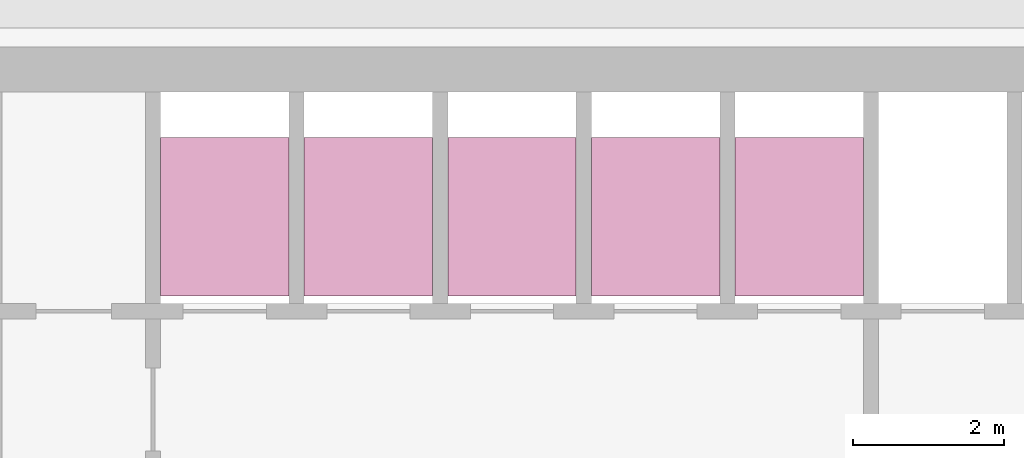
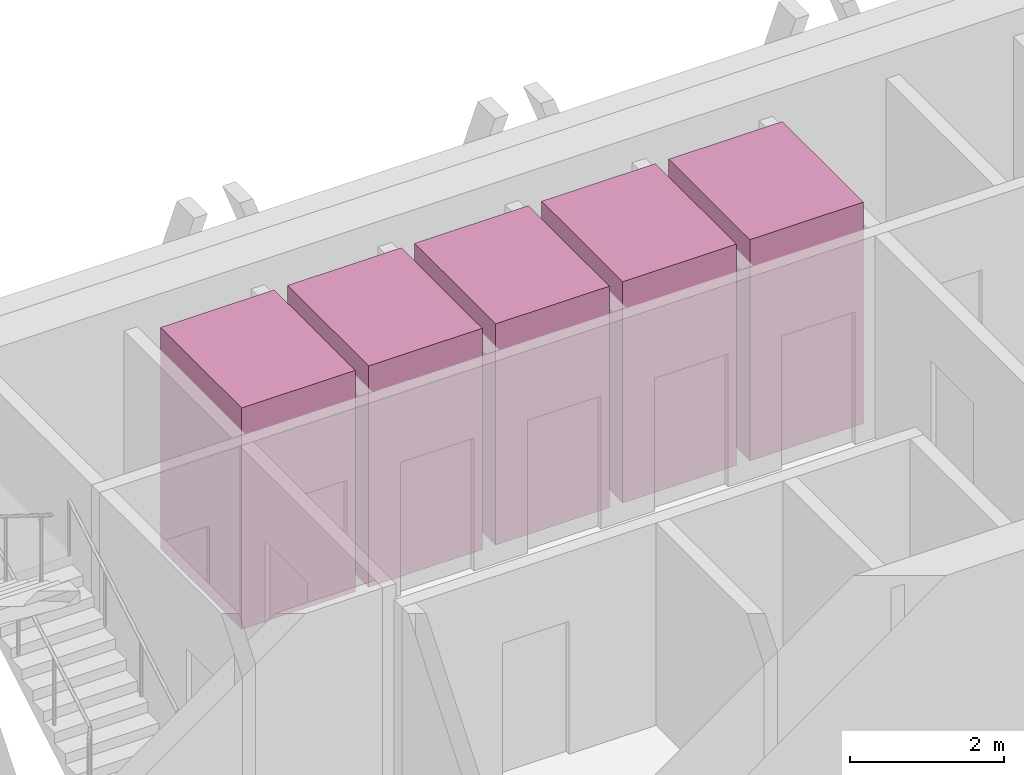
# One storey, part 14 of 14: 5 transport elements.
"""IFC4 building model written with IfcOpenShell, lengths in metres."""

from ifc_helpers import new_model, si_unit, direction, frame, origin, origin_2d, place, context, subcontext, project, spatial, rectangle, extrude, material, type_object, element, save


model = new_model("IFC4")

# Units and contexts
model_context = context("Model", 3, precision=1e-05, world=origin(), true_north=direction((0.0, 1.0)))
body_context = subcontext(model_context, "Body", "Model", "MODEL_VIEW")
ifc_project = project(units=[si_unit("LENGTHUNIT", "METRE"), si_unit("AREAUNIT", "SQUARE_METRE"), si_unit("VOLUMEUNIT", "CUBIC_METRE"), si_unit("PLANEANGLEUNIT", "RADIAN"), si_unit("MASSUNIT", "GRAM", prefix="KILO")], contexts=[model_context])

# Site, building, storey
site_placement = place(None, origin())
site = spatial("IfcSite", under=ifc_project, at=site_placement, CompositionType="ELEMENT")
building_placement = place(site_placement, origin())
building = spatial("IfcBuilding", under=site, at=building_placement, Name="Altiplano Prism Tower", CompositionType="ELEMENT")
storey_placement = place(building_placement, frame((0.0, 0.0, 223.0)))
storey = spatial("IfcBuildingStorey", under=building, at=storey_placement, Name="L57", CompositionType="ELEMENT", Elevation=223.0)

# Transport elements
ifc_material = material(Name="Stainless steel lift car", Category="steel")
transport_element_type = type_object("IfcTransportElementType", Name="Passenger lift car 1600 x 2100", PredefinedType="ELEVATOR", material=ifc_material)
for number, where, z_axis, x_axis, name in (
    (1, (79.050048828125, 101.75, 0.050048828125), (0.0, 0.0, 1.0), (1.0, 0.0, 0.0), "Mid Zone Passenger Lift 1"),
    (2, (80.949951171875, 101.75, 0.050048828125), (0.0, 0.0, 1.0), (1.0, 0.0, 0.0), "Mid Zone Passenger Lift 2"),
    (3, (82.85009765625, 101.75, 0.050048828125), (0.0, 0.0, 1.0), (1.0, 0.0, 0.0), "Mid Zone Passenger Lift 3"),
    (4, (84.75, 101.75, 0.050048828125), (0.0, 0.0, 1.0), (1.0, 0.0, 0.0), "Mid Zone Passenger Lift 4"),
    (5, (86.64990234375, 101.75, 0.050048828125), (0.0, 0.0, 1.0), (1.0, 0.0, 0.0), "Mid Zone Passenger Lift 5"),
):
    element("IfcTransportElement", number, at=place(storey_placement, frame(where, z_axis=z_axis, x_axis=x_axis)), inside=storey, type_object=transport_element_type, Name=name, PredefinedType="ELEVATOR", context=body_context, shape_type="SweptSolid", body=[
        extrude(rectangle(XDim=1.699951171875, YDim=2.10009765625, at=origin_2d()), origin(), (0.0, 0.0, 1.0), 3.5),
    ])

save(model, "model.ifc")
